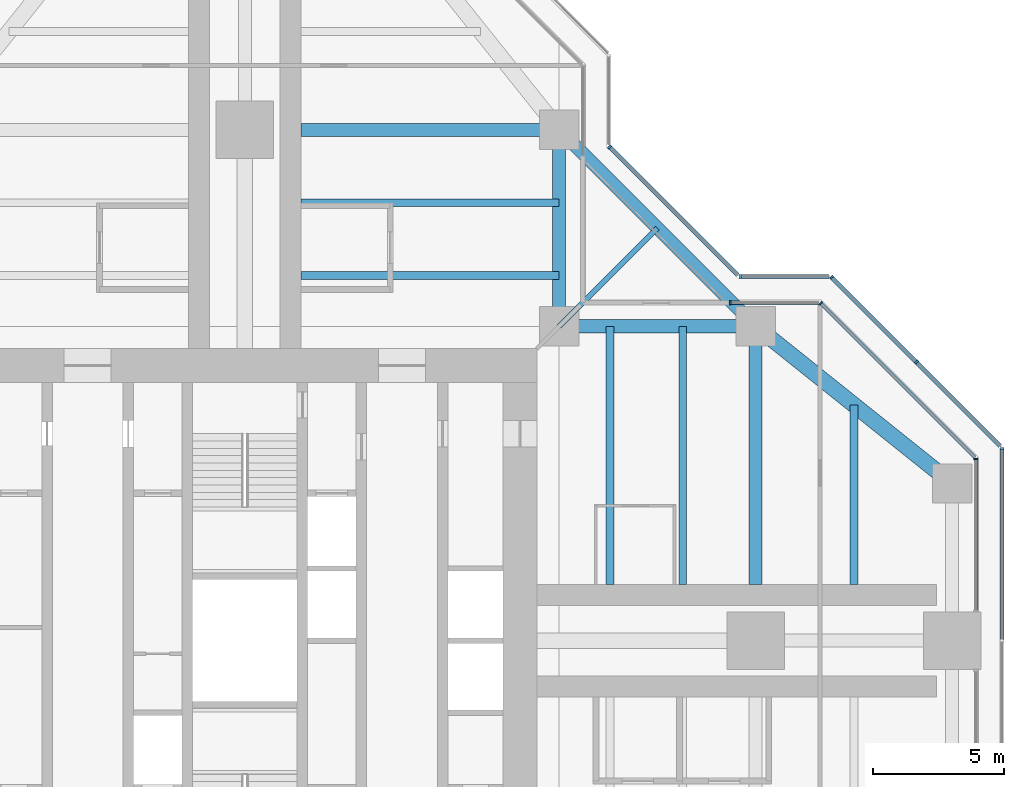
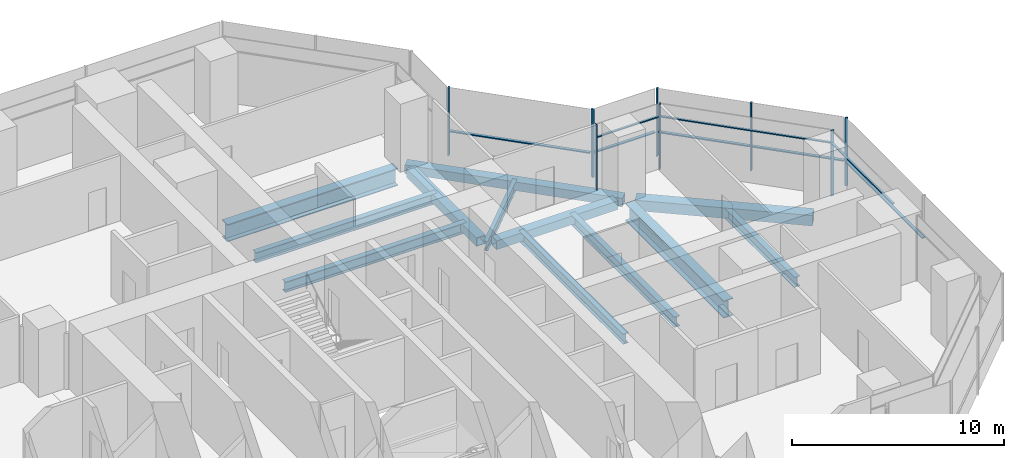
# One storey, part 8 of 17: 16 members, 12 beams, 7 elements without a shape of their own.
"""IFC4 building model written with IfcOpenShell, lengths in metres."""

from ifc_helpers import new_model, si_unit, direction, frame, origin, origin_2d, place, context, subcontext, project, spatial, rectangle, hollow_rectangle, i_section, extrude, material, material_profile, profile_set, type_object, element, aggregate, save


model = new_model("IFC4")

# Units and contexts
model_context = context("Model", 3, precision=1e-05, world=origin(), true_north=direction((0.0, 1.0)))
body_context = subcontext(model_context, "Body", "Model", "MODEL_VIEW")
ifc_project = project(units=[si_unit("LENGTHUNIT", "METRE"), si_unit("AREAUNIT", "SQUARE_METRE"), si_unit("VOLUMEUNIT", "CUBIC_METRE"), si_unit("PLANEANGLEUNIT", "RADIAN"), si_unit("MASSUNIT", "GRAM", prefix="KILO")], contexts=[model_context])

# Site, building, storey
site_placement = place(None, origin())
site = spatial("IfcSite", under=ifc_project, at=site_placement, CompositionType="ELEMENT")
building_placement = place(site_placement, origin())
building = spatial("IfcBuilding", under=site, at=building_placement, Name="Mizan Broadcast Tower", CompositionType="ELEMENT")
storey_placement = place(building_placement, frame((0.0, 0.0, 228.300048828125)))
storey = spatial("IfcBuildingStorey", under=building, at=storey_placement, Name="L53", CompositionType="ELEMENT", Elevation=228.300048828125)

# Beams
ifc_material_1 = material(Name="Steel S355", Category="steel")
ifc_material_profile_1 = material_profile(ifc_material_1, hollow_rectangle(XDim=0.5, YDim=0.5, WallThickness=0.030029296875, at=origin_2d()), Name="BOX 500x500x30")
ifc_profile_set_1 = profile_set([ifc_material_profile_1], Name="Steel S355")
beam_type_1 = type_object("IfcBeamType", Name="EDGE BEAM BOX 500x500x30", PredefinedType="SPANDREL", material=ifc_profile_set_1)
for number, where, z_axis, x_axis, name in (
    (1, (12.449951171875, 12.0, -0.380126953125), (1.0, 0.0, 0.0), (0.0, 1.0, 0.0), "Edge beam BOX 500x500x30 L53 east arm"),
    (2, (12.0, 12.449951171875, -0.380126953125), (0.0, 1.0, 0.0), (-1.0, 0.0, 0.0), "Edge beam BOX 500x500x30 L53 north arm"),
):
    element("IfcBeam", number, at=place(storey_placement, frame(where, z_axis=z_axis, x_axis=x_axis)), inside=storey, type_object=beam_type_1, Name=name, PredefinedType="SPANDREL", context=body_context, shape_type="SweptSolid", body=[
        extrude(hollow_rectangle(XDim=0.5, YDim=0.5, WallThickness=0.030029296875, at=origin_2d()), origin(), (0.0, 0.0, 1.0), 6.60009765625),
    ])
beam_1_placement = place(storey_placement, frame((19.5, 12.0, -0.380126953125), z_axis=(-0.707106781187, 0.707106781187, 0.0), x_axis=(-0.707106781187, -0.707106781187, 0.0)))
element("IfcBeam", 3, at=beam_1_placement, inside=storey, type_object=beam_type_1, Name="Winter garden edge beam L53 E", PredefinedType="SPANDREL", context=body_context, shape_type="SweptSolid", body=[
    extrude(hollow_rectangle(XDim=0.5, YDim=0.5, WallThickness=0.030029296875, at=origin_2d()), origin(), (0.0, 0.0, 1.0), 10.606689453125),
])
ifc_material_2 = material(Name="Steel S355", Category="steel")
ifc_material_profile_2 = material_profile(ifc_material_2, hollow_rectangle(XDim=0.60009765625, YDim=0.60009765625, WallThickness=0.030029296875, at=origin_2d()), Name="BOX 600x600x30")
ifc_profile_set_2 = profile_set([ifc_material_profile_2], Name="Steel S355")
beam_type_2 = type_object("IfcBeamType", Name="EDGE BEAM BOX 600x600x30", PredefinedType="SPANDREL", material=ifc_profile_set_2)
beam_2_placement = place(storey_placement, frame((19.949951171875, 11.639892578125, -0.429931640625), z_axis=(0.780885717636, -0.624673911726, 0.0), x_axis=(0.624673911726, 0.780885717636, 0.0)))
element("IfcBeam", 4, at=beam_2_placement, inside=storey, type_object=beam_type_2, Name="Edge beam BOX 600x600x30 L53 east arm", PredefinedType="SPANDREL", context=body_context, shape_type="SweptSolid", body=[
    extrude(hollow_rectangle(XDim=0.60009765625, YDim=0.60009765625, WallThickness=0.030029296875, at=origin_2d()), origin(), (0.0, 0.0, 1.0), 8.4521484375),
])
ifc_material_3 = material(Name="Steel S460", Category="steel")
ifc_material_profile_3 = material_profile(ifc_material_3, i_section(OverallWidth=0.5, OverallDepth=1.0, WebThickness=0.02490234375, FlangeThickness=0.050048828125, at=origin_2d()), Name="WPG 1000x500")
ifc_profile_set_3 = profile_set([ifc_material_profile_3], Name="Steel S460")
beam_type_3 = type_object("IfcBeamType", Name="GIRDER WPG 1000x500", PredefinedType="BEAM", material=ifc_profile_set_3)
for number, where, z_axis, x_axis, name in (
    (5, (19.5, 11.408935546875, -0.630126953125), (0.0, -1.0, 0.0), (1.0, 0.0, 0.0), "Girder WPG 1000x500 L53 east arm"),
    (6, (11.408935546875, 19.5, -0.630126953125), (-1.0, 0.0, 0.0), (0.0, -1.0, 0.0), "Girder WPG 1000x500 L53 north arm"),
):
    element("IfcBeam", number, at=place(storey_placement, frame(where, z_axis=z_axis, x_axis=x_axis)), inside=storey, type_object=beam_type_3, Name=name, PredefinedType="BEAM", context=body_context, shape_type="SweptSolid", body=[
        extrude(i_section(OverallWidth=0.5, OverallDepth=1.0, WebThickness=0.02490234375, FlangeThickness=0.050048828125, at=origin_2d()), origin(), (0.0, 0.0, 1.0), 9.259033203125),
    ])

# Curtain wall, member
ifc_material_4 = material(Name="Aluminium framed glazing", Category="aluminium")
curtain_wall_type_1 = type_object("IfcCurtainWallType", Name="INNER SKIN HIGH ZONE", PredefinedType="USERDEFINED", material=ifc_material_4)
curtain_wall_1_placement = place(storey_placement, origin())
curtain_wall_1 = element("IfcCurtainWall", 7, at=curtain_wall_1_placement, inside=storey, type_object=curtain_wall_type_1, Name="Inner skin high zone L53 E end", ObjectType="INNER SKIN HIGH ZONE", PredefinedType="USERDEFINED")
ifc_material_5 = material(Name="Aluminium, pale anodised", Category="aluminium")
ifc_material_profile_4 = material_profile(ifc_material_5, rectangle(XDim=0.159912109375, YDim=0.06005859375, at=origin_2d()), Name="MULLION 160x60")
ifc_profile_set_4 = profile_set([ifc_material_profile_4], Name="Aluminium, pale anodised")
member_type_1 = type_object("IfcMemberType", Name="INNER SKIN MULLION 60x160", PredefinedType="MULLION", material=ifc_profile_set_4)
member_1_placement = place(storey_placement, frame((27.89990234375, 6.928466796875, 0.0), z_axis=(0.0, 0.0, 1.0), x_axis=(-1.0, 0.0, 0.0)))
member_1 = element("IfcMember", 8, at=member_1_placement, type_object=member_type_1, Name="Inner skin high zone L53 E end mullion 2", PredefinedType="MULLION", context=body_context, shape_type="SweptSolid", body=[
    extrude(rectangle(XDim=0.159912109375, YDim=0.06005859375, at=origin_2d()), origin(), (0.0, 0.0, 1.0), 3.77001953125),
])

curtain_wall_2_placement = place(storey_placement, origin())
curtain_wall_2 = element("IfcCurtainWall", 9, at=curtain_wall_2_placement, inside=storey, type_object=curtain_wall_type_1, Name="Inner skin high zone L53 E chamfer", ObjectType="INNER SKIN HIGH ZONE", PredefinedType="USERDEFINED")
member_2_placement = place(storey_placement, frame((21.979736328125, 12.87890625, 0.0), z_axis=(0.0, 0.0, 1.0), x_axis=(-0.707106781187, -0.707106781187, 0.0)))
member_2 = element("IfcMember", 10, at=member_2_placement, type_object=member_type_1, Name="Inner skin high zone L53 E chamfer mullion 2", PredefinedType="MULLION", context=body_context, shape_type="SweptSolid", body=[
    extrude(rectangle(XDim=0.159912109375, YDim=0.06005859375, at=origin_2d()), origin(), (0.0, 0.0, 1.0), 3.77001953125),
])

curtain_wall_3_placement = place(storey_placement, origin())
curtain_wall_3 = element("IfcCurtainWall", 11, at=curtain_wall_3_placement, inside=storey, type_object=curtain_wall_type_1, Name="Inner skin high zone L53 E side", ObjectType="INNER SKIN HIGH ZONE", PredefinedType="USERDEFINED")
member_3_placement = place(storey_placement, frame((18.530029296875, 12.89990234375, 0.0), z_axis=(0.0, 0.0, 1.0), x_axis=(0.0, -1.0, 0.0)))
member_3 = element("IfcMember", 12, at=member_3_placement, type_object=member_type_1, Name="Inner skin high zone L53 E side mullion 2", PredefinedType="MULLION", context=body_context, shape_type="SweptSolid", body=[
    extrude(rectangle(XDim=0.159912109375, YDim=0.06005859375, at=origin_2d()), origin(), (0.0, 0.0, 1.0), 3.77001953125),
])

# Member
ifc_material_6 = material(Name="Aluminium, pale anodised", Category="aluminium")
ifc_material_profile_5 = material_profile(ifc_material_6, rectangle(XDim=0.1201171875, YDim=0.06005859375, at=origin_2d()), Name="TRANSOM 120x60")
ifc_profile_set_5 = profile_set([ifc_material_profile_5], Name="Aluminium, pale anodised")
member_type_2 = type_object("IfcMemberType", Name="INNER SKIN TRANSOM 60x120", PredefinedType="USERDEFINED", material=ifc_profile_set_5)
member_4_placement = place(storey_placement, frame((27.89990234375, 1.159912109375, 3.030029296875), z_axis=(0.0, 1.0, 0.0), x_axis=(-1.0, 0.0, 0.0)))
member_4 = element("IfcMember", 13, at=member_4_placement, type_object=member_type_2, Name="Inner skin high zone L53 E end transom 1.1", ObjectType="TRANSOM", PredefinedType="USERDEFINED", context=body_context, shape_type="SweptSolid", body=[
    extrude(rectangle(XDim=0.1201171875, YDim=0.06005859375, at=origin_2d()), origin(), (0.0, 0.0, 1.0), 5.73876953125),
])

aggregate(curtain_wall_1, [member_1, member_4])

member_5_placement = place(storey_placement, frame((27.857666015625, 7.0009765625, 3.030029296875), z_axis=(-0.707106781187, 0.707106781187, 0.0), x_axis=(-0.707106781187, -0.707106781187, 0.0)))
member_5 = element("IfcMember", 14, at=member_5_placement, type_object=member_type_2, Name="Inner skin high zone L53 E chamfer transom 1.1", ObjectType="TRANSOM", PredefinedType="USERDEFINED", context=body_context, shape_type="SweptSolid", body=[
    extrude(rectangle(XDim=0.1201171875, YDim=0.06005859375, at=origin_2d()), origin(), (0.0, 0.0, 1.0), 8.28271484375),
])

aggregate(curtain_wall_2, [member_2, member_5])

member_6_placement = place(storey_placement, frame((21.898681640625, 12.89990234375, 3.030029296875), z_axis=(-1.0, 0.0, 0.0), x_axis=(0.0, -1.0, 0.0)))
member_6 = element("IfcMember", 15, at=member_6_placement, type_object=member_type_2, Name="Inner skin high zone L53 E side transom 1.1", ObjectType="TRANSOM", PredefinedType="USERDEFINED", context=body_context, shape_type="SweptSolid", body=[
    extrude(rectangle(XDim=0.1201171875, YDim=0.06005859375, at=origin_2d()), origin(), (0.0, 0.0, 1.0), 3.338623046875),
])

aggregate(curtain_wall_3, [member_3, member_6])

# Curtain wall, member
ifc_material_7 = material(Name="Aluminium framed glazing", Category="aluminium")
curtain_wall_type_2 = type_object("IfcCurtainWallType", Name="OUTER SKIN", PredefinedType="USERDEFINED", material=ifc_material_7)
curtain_wall_4_placement = place(storey_placement, origin())
curtain_wall_4 = element("IfcCurtainWall", 16, at=curtain_wall_4_placement, inside=storey, type_object=curtain_wall_type_2, Name="Outer skin L53 E end", ObjectType="OUTER SKIN", PredefinedType="USERDEFINED")
ifc_material_8 = material(Name="Aluminium, pale anodised", Category="aluminium")
ifc_material_profile_6 = material_profile(ifc_material_8, rectangle(XDim=0.159912109375, YDim=0.080078125, at=origin_2d()), Name="MULLION 160x80")
ifc_profile_set_6 = profile_set([ifc_material_profile_6], Name="Aluminium, pale anodised")
member_type_3 = type_object("IfcMemberType", Name="OUTER SKIN MULLION 80x160", PredefinedType="MULLION", material=ifc_profile_set_6)
member_7_placement = place(storey_placement, frame((28.89990234375, 7.332763671875, 0.0), z_axis=(0.0, 0.0, 1.0), x_axis=(-1.0, 0.0, 0.0)))
member_7 = element("IfcMember", 17, at=member_7_placement, type_object=member_type_3, Name="Outer skin L53 E end mullion 3", PredefinedType="MULLION", context=body_context, shape_type="SweptSolid", body=[
    extrude(rectangle(XDim=0.159912109375, YDim=0.080078125, at=origin_2d()), origin(), (0.0, 0.0, 1.0), 3.89990234375),
])

# Curtain wall, members
curtain_wall_5_placement = place(storey_placement, origin())
curtain_wall_5 = element("IfcCurtainWall", 18, at=curtain_wall_5_placement, inside=storey, type_object=curtain_wall_type_2, Name="Outer skin L53 E chamfer", ObjectType="OUTER SKIN", PredefinedType="USERDEFINED")
member_8_placement = place(storey_placement, frame((25.636474609375, 10.636474609375, 0.0), z_axis=(0.0, 0.0, 1.0), x_axis=(-0.707106781187, -0.707106781187, 0.0)))
member_8 = element("IfcMember", 19, at=member_8_placement, type_object=member_type_3, Name="Outer skin L53 E chamfer mullion 2", PredefinedType="MULLION", context=body_context, shape_type="SweptSolid", body=[
    extrude(rectangle(XDim=0.159912109375, YDim=0.080078125, at=origin_2d()), origin(), (0.0, 0.0, 1.0), 3.89990234375),
])
member_9_placement = place(storey_placement, frame((22.401123046875, 13.871826171875, 0.0), z_axis=(0.0, 0.0, 1.0), x_axis=(-0.707106781187, -0.707106781187, 0.0)))
member_9 = element("IfcMember", 20, at=member_9_placement, type_object=member_type_3, Name="Outer skin L53 E chamfer mullion 3", PredefinedType="MULLION", context=body_context, shape_type="SweptSolid", body=[
    extrude(rectangle(XDim=0.159912109375, YDim=0.080078125, at=origin_2d()), origin(), (0.0, 0.0, 1.0), 3.89990234375),
])

# Curtain wall, member
curtain_wall_6_placement = place(storey_placement, origin())
curtain_wall_6 = element("IfcCurtainWall", 21, at=curtain_wall_6_placement, inside=storey, type_object=curtain_wall_type_2, Name="Outer skin L53 E side", ObjectType="OUTER SKIN", PredefinedType="USERDEFINED")
member_10_placement = place(storey_placement, frame((18.912841796875, 13.89990234375, 0.0), z_axis=(0.0, 0.0, 1.0), x_axis=(0.0, -1.0, 0.0)))
member_10 = element("IfcMember", 22, at=member_10_placement, type_object=member_type_3, Name="Outer skin L53 E side mullion 2", PredefinedType="MULLION", context=body_context, shape_type="SweptSolid", body=[
    extrude(rectangle(XDim=0.159912109375, YDim=0.080078125, at=origin_2d()), origin(), (0.0, 0.0, 1.0), 3.89990234375),
])

curtain_wall_7_placement = place(storey_placement, origin())
curtain_wall_7 = element("IfcCurtainWall", 23, at=curtain_wall_7_placement, inside=storey, type_object=curtain_wall_type_2, Name="Outer skin L53 E chamfer", ObjectType="OUTER SKIN", PredefinedType="USERDEFINED")
member_11_placement = place(storey_placement, frame((13.92822265625, 18.844482421875, 0.0), z_axis=(0.0, 0.0, 1.0), x_axis=(-0.707106781187, -0.707106781187, 0.0)))
member_11 = element("IfcMember", 24, at=member_11_placement, type_object=member_type_3, Name="Outer skin L53 E chamfer mullion 2", PredefinedType="MULLION", context=body_context, shape_type="SweptSolid", body=[
    extrude(rectangle(XDim=0.159912109375, YDim=0.080078125, at=origin_2d()), origin(), (0.0, 0.0, 1.0), 3.89990234375),
])

# Member
ifc_material_9 = material(Name="Aluminium, pale anodised", Category="aluminium")
ifc_material_profile_7 = material_profile(ifc_material_9, rectangle(XDim=0.159912109375, YDim=0.06005859375, at=origin_2d()), Name="TRANSOM 160x60")
ifc_profile_set_7 = profile_set([ifc_material_profile_7], Name="Aluminium, pale anodised")
member_type_4 = type_object("IfcMemberType", Name="OUTER SKIN TRANSOM 60x160", PredefinedType="USERDEFINED", material=ifc_profile_set_7)
member_12_placement = place(storey_placement, frame((28.89990234375, 0.0400390625, 1.39990234375), z_axis=(0.0, 1.0, 0.0), x_axis=(-1.0, 0.0, 0.0)))
member_12 = element("IfcMember", 25, at=member_12_placement, type_object=member_type_4, Name="Outer skin L53 E end transom 2.1", ObjectType="TRANSOM", PredefinedType="USERDEFINED", context=body_context, shape_type="SweptSolid", body=[
    extrude(rectangle(XDim=0.159912109375, YDim=0.06005859375, at=origin_2d()), origin(), (0.0, 0.0, 1.0), 7.252685546875),
])

aggregate(curtain_wall_4, [member_7, member_12])

member_13_placement = place(storey_placement, frame((28.843505859375, 7.429443359375, 1.39990234375), z_axis=(-0.707106781187, 0.707106781187, 0.0), x_axis=(-0.707106781187, -0.707106781187, 0.0)))
member_13 = element("IfcMember", 26, at=member_13_placement, type_object=member_type_4, Name="Outer skin L53 E chamfer transom 1.1", ObjectType="TRANSOM", PredefinedType="USERDEFINED", context=body_context, shape_type="SweptSolid", body=[
    extrude(rectangle(XDim=0.159912109375, YDim=0.06005859375, at=origin_2d()), origin(), (0.0, 0.0, 1.0), 4.495361328125),
])

member_14_placement = place(storey_placement, frame((25.608154296875, 10.664794921875, 1.39990234375), z_axis=(-0.707106781187, 0.707106781187, 0.0), x_axis=(-0.707106781187, -0.707106781187, 0.0)))
member_14 = element("IfcMember", 27, at=member_14_placement, type_object=member_type_4, Name="Outer skin L53 E chamfer transom 2.1", ObjectType="TRANSOM", PredefinedType="USERDEFINED", context=body_context, shape_type="SweptSolid", body=[
    extrude(rectangle(XDim=0.159912109375, YDim=0.06005859375, at=origin_2d()), origin(), (0.0, 0.0, 1.0), 4.495361328125),
])

aggregate(curtain_wall_5, [member_8, member_9, member_13, member_14])

member_15_placement = place(storey_placement, frame((22.292724609375, 13.89990234375, 1.39990234375), z_axis=(-1.0, 0.0, 0.0), x_axis=(0.0, -1.0, 0.0)))
member_15 = element("IfcMember", 28, at=member_15_placement, type_object=member_type_4, Name="Outer skin L53 E side transom 1.1", ObjectType="TRANSOM", PredefinedType="USERDEFINED", context=body_context, shape_type="SweptSolid", body=[
    extrude(rectangle(XDim=0.159912109375, YDim=0.06005859375, at=origin_2d()), origin(), (0.0, 0.0, 1.0), 3.33984375),
])

aggregate(curtain_wall_6, [member_10, member_15])

member_16_placement = place(storey_placement, frame((18.816162109375, 13.95654296875, 1.39990234375), z_axis=(-0.707106781187, 0.707106781187, 0.0), x_axis=(-0.707106781187, -0.707106781187, 0.0)))
member_16 = element("IfcMember", 29, at=member_16_placement, type_object=member_type_4, Name="Outer skin L53 E chamfer transom 1.1", ObjectType="TRANSOM", PredefinedType="USERDEFINED", context=body_context, shape_type="SweptSolid", body=[
    extrude(rectangle(XDim=0.159912109375, YDim=0.06005859375, at=origin_2d()), origin(), (0.0, 0.0, 1.0), 6.87255859375),
])

aggregate(curtain_wall_7, [member_11, member_16])

# Beams
ifc_material_10 = material(Name="Steel S355", Category="steel")
ifc_material_profile_8 = material_profile(ifc_material_10, i_section(OverallWidth=0.300048828125, OverallDepth=0.590087890625, WebThickness=0.012939453125, FlangeThickness=0.02490234375, FilletRadius=0.027099609375, at=origin_2d()), Name="HEA 600")
ifc_profile_set_8 = profile_set([ifc_material_profile_8], Name="Steel S355")
beam_type_4 = type_object("IfcBeamType", Name="SECONDARY BEAM HEA 600", PredefinedType="JOIST", material=ifc_profile_set_8)
for number, where, z_axis, x_axis, name in (
    (30, (13.933349609375, 12.0, -0.425048828125), (0.0, -1.0, 0.0), (1.0, 0.0, 0.0), "Secondary beam HEA 600 L53 east arm"),
    (31, (16.716552734375, 12.0, -0.425048828125), (0.0, -1.0, 0.0), (1.0, 0.0, 0.0), "Secondary beam HEA 600 L53 east arm"),
):
    element("IfcBeam", number, at=place(storey_placement, frame(where, z_axis=z_axis, x_axis=x_axis)), inside=storey, type_object=beam_type_4, Name=name, PredefinedType="JOIST", context=body_context, shape_type="SweptSolid", body=[
        extrude(i_section(OverallWidth=0.300048828125, OverallDepth=0.590087890625, WebThickness=0.012939453125, FlangeThickness=0.02490234375, FilletRadius=0.027099609375, at=origin_2d()), origin(), (0.0, 0.0, 1.0), 9.85009765625),
    ])
beam_3_placement = place(storey_placement, frame((23.25, 9.0, -0.425048828125), z_axis=(0.0, -1.0, 0.0), x_axis=(1.0, 0.0, 0.0)))
element("IfcBeam", 32, at=beam_3_placement, inside=storey, type_object=beam_type_4, Name="Secondary beam HEA 600 L53 east arm", PredefinedType="JOIST", context=body_context, shape_type="SweptSolid", body=[
    extrude(i_section(OverallWidth=0.300048828125, OverallDepth=0.590087890625, WebThickness=0.012939453125, FlangeThickness=0.02490234375, FilletRadius=0.027099609375, at=origin_2d()), origin(), (0.0, 0.0, 1.0), 6.85009765625),
])
for number, where, z_axis, x_axis, name in (
    (33, (12.0, 13.933349609375, -0.425048828125), (-1.0, 0.0, 0.0), (0.0, -1.0, 0.0), "Secondary beam HEA 600 L53 north arm"),
    (34, (12.0, 16.716552734375, -0.425048828125), (-1.0, 0.0, 0.0), (0.0, -1.0, 0.0), "Secondary beam HEA 600 L53 north arm"),
):
    element("IfcBeam", number, at=place(storey_placement, frame(where, z_axis=z_axis, x_axis=x_axis)), inside=storey, type_object=beam_type_4, Name=name, PredefinedType="JOIST", context=body_context, shape_type="SweptSolid", body=[
        extrude(i_section(OverallWidth=0.300048828125, OverallDepth=0.590087890625, WebThickness=0.012939453125, FlangeThickness=0.02490234375, FilletRadius=0.027099609375, at=origin_2d()), origin(), (0.0, 0.0, 1.0), 9.85009765625),
    ])
ifc_material_11 = material(Name="Steel S355", Category="steel")
ifc_material_profile_9 = material_profile(ifc_material_11, i_section(OverallWidth=0.2099609375, OverallDepth=0.550048828125, WebThickness=0.010986328125, FlangeThickness=0.01708984375, FilletRadius=0.02392578125, at=origin_2d()), Name="IPE 550")
ifc_profile_set_9 = profile_set([ifc_material_profile_9], Name="Steel S355")
beam_type_5 = type_object("IfcBeamType", Name="SECONDARY BEAM IPE 550", PredefinedType="JOIST", material=ifc_profile_set_9)
beam_4_placement = place(storey_placement, frame((12.0, 12.0, -0.405029296875), z_axis=(0.707106781187, 0.707106781187, 0.0), x_axis=(-0.707106781187, 0.707106781187, 0.0)))
element("IfcBeam", 35, at=beam_4_placement, inside=storey, type_object=beam_type_5, Name="Winter garden beam L53 E", PredefinedType="JOIST", context=body_context, shape_type="SweptSolid", body=[
    extrude(i_section(OverallWidth=0.2099609375, OverallDepth=0.550048828125, WebThickness=0.010986328125, FlangeThickness=0.01708984375, FilletRadius=0.02392578125, at=origin_2d()), origin(), (0.0, 0.0, 1.0), 5.30322265625),
])

save(model, "model.ifc")
